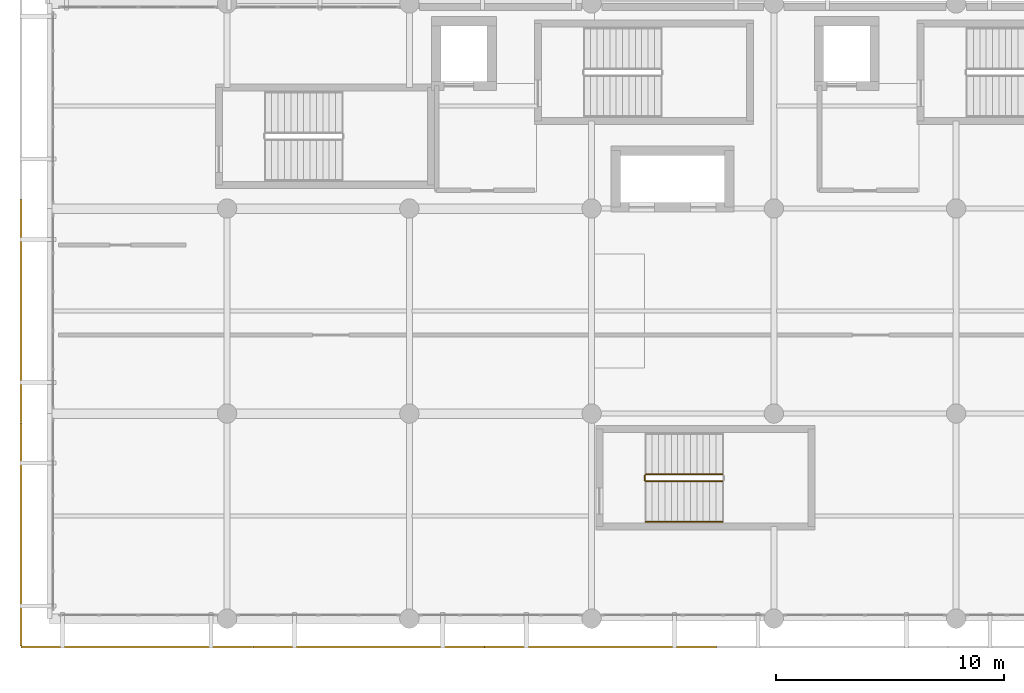
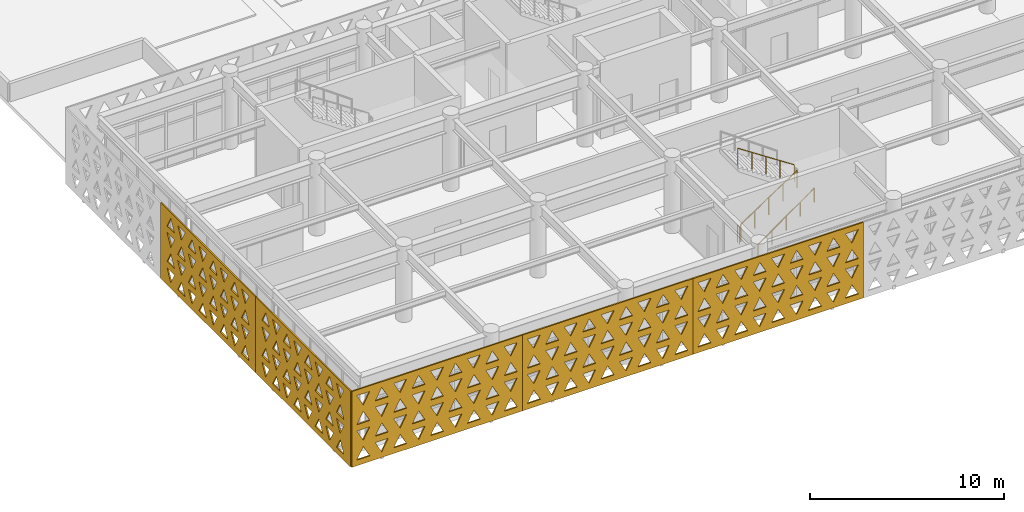
# One storey, part 43 of 54: 5 coverings, 4 railings.
"""IFC4 building model written with IfcOpenShell, lengths in metres."""

from ifc_helpers import new_model, si_unit, direction, frame, origin, origin_2d, place, context, subcontext, project, spatial, polyline, circle, outline, extrude, material, layer, layer_set, type_object, element, save


model = new_model("IFC4")

# Units and contexts
model_context = context("Model", 3, precision=1e-05, world=origin(), true_north=direction((0.0, 1.0)))
body_context = subcontext(model_context, "Body", "Model", "MODEL_VIEW")
ifc_project = project(units=[si_unit("LENGTHUNIT", "METRE"), si_unit("AREAUNIT", "SQUARE_METRE"), si_unit("VOLUMEUNIT", "CUBIC_METRE"), si_unit("PLANEANGLEUNIT", "RADIAN"), si_unit("MASSUNIT", "GRAM", prefix="KILO")], contexts=[model_context])

# Site, building, storey
site_placement = place(None, origin())
site = spatial("IfcSite", under=ifc_project, at=site_placement, CompositionType="ELEMENT")
building_placement = place(site_placement, origin())
building = spatial("IfcBuilding", under=site, at=building_placement, Name="Tlacozan Convention Centre", CompositionType="ELEMENT")
storey_placement = place(building_placement, frame((0.0, 0.0, 11.39990234375)))
storey = spatial("IfcBuildingStorey", under=building, at=storey_placement, Name="L02", CompositionType="ELEMENT", Elevation=11.39990234375)

# Railings
ifc_material_1 = material(Name="Architectural Painted Galvanised Steel Railing", Category="steel")
railing_type_1 = type_object("IfcRailingType", Name="Stair Wall Handrail 900", PredefinedType="HANDRAIL", material=ifc_material_1)
railing_1_placement = place(storey_placement, frame((26.3798828125, 4.25, 0.184814453125)))
element("IfcRailing", 1, at=railing_1_placement, inside=storey, type_object=railing_type_1, Name="L02 ST-16 stair handrail 1", PredefinedType="HANDRAIL", context=body_context, shape_type="SweptSolid", body=[
    extrude(circle(Radius=0.02392578125, at=origin_2d()), frame((0.0, 0.0, 0.8759765625), z_axis=(0.813753445783, 0.0, 0.581210228297), x_axis=(0.0, 1.0, 0.0)), (0.0, 0.0, 1.0), 4.129150390625),
    extrude(circle(Radius=0.02099609375, at=origin_2d()), origin(), (0.0, 0.0, 1.0), 0.851806640625),
    extrude(circle(Radius=0.02099609375, at=origin_2d()), frame((0.840087890625, 0.0, 0.60009765625)), (0.0, 0.0, 1.0), 0.851806640625),
    extrude(circle(Radius=0.02099609375, at=origin_2d()), frame((1.68017578125, 0.0, 1.199951171875)), (0.0, 0.0, 1.0), 0.851806640625),
    extrude(circle(Radius=0.02099609375, at=origin_2d()), frame((2.52001953125, 0.0, 1.7998046875)), (0.0, 0.0, 1.0), 0.851806640625),
    extrude(circle(Radius=0.02099609375, at=origin_2d()), frame((3.360107421875, 0.0, 2.39990234375)), (0.0, 0.0, 1.0), 0.851806640625),
])
railing_type_2 = type_object("IfcRailingType", Name="Stair Well Guardrail 1100", PredefinedType="GUARDRAIL", material=ifc_material_1)
railing_2_placement = place(storey_placement, frame((26.3798828125, 6.030029296875, 0.184814453125)))
element("IfcRailing", 2, at=railing_2_placement, inside=storey, type_object=railing_type_2, Name="L02 ST-16 stair guard 1", PredefinedType="GUARDRAIL", context=body_context, shape_type="SweptSolid", body=[
    extrude(circle(Radius=0.02392578125, at=origin_2d()), frame((0.0, 0.0, 1.076171875), z_axis=(0.834876476806, 0.0, 0.550437342915), x_axis=(0.0, 1.0, 0.0)), (0.0, 0.0, 1.0), 4.024658203125),
    extrude(circle(Radius=0.02099609375, at=origin_2d()), origin(), (0.0, 0.0, 1.0), 1.052001953125),
    extrude(circle(Radius=0.02099609375, at=origin_2d()), frame((0.840087890625, 0.0, 0.5537109375)), (0.0, 0.0, 1.0), 1.052001953125),
    extrude(circle(Radius=0.02099609375, at=origin_2d()), frame((1.68017578125, 0.0, 1.107666015625)), (0.0, 0.0, 1.0), 1.052001953125),
    extrude(circle(Radius=0.02099609375, at=origin_2d()), frame((2.52001953125, 0.0, 1.66162109375)), (0.0, 0.0, 1.0), 1.052001953125),
    extrude(circle(Radius=0.02099609375, at=origin_2d()), frame((3.360107421875, 0.0, 2.21533203125)), (0.0, 0.0, 1.0), 1.052001953125),
])
railing_3_placement = place(storey_placement, frame((29.739990234375, 6.330078125, 2.584716796875)))
element("IfcRailing", 3, at=railing_3_placement, inside=storey, type_object=railing_type_2, Name="L02 ST-16 stair guard 3", PredefinedType="GUARDRAIL", context=body_context, shape_type="SweptSolid", body=[
    extrude(circle(Radius=0.02392578125, at=origin_2d()), frame((0.0, 0.0, 1.076171875), z_axis=(-0.834876476806, 0.0, 0.550437342915), x_axis=(0.0, -1.0, 0.0)), (0.0, 0.0, 1.0), 4.024658203125),
    extrude(circle(Radius=0.02099609375, at=origin_2d()), origin(), (0.0, 0.0, 1.0), 1.052001953125),
    extrude(circle(Radius=0.02099609375, at=origin_2d()), frame((-0.840087890625, 0.0, 0.5537109375)), (0.0, 0.0, 1.0), 1.052001953125),
    extrude(circle(Radius=0.02099609375, at=origin_2d()), frame((-1.68017578125, 0.0, 1.107666015625)), (0.0, 0.0, 1.0), 1.052001953125),
    extrude(circle(Radius=0.02099609375, at=origin_2d()), frame((-2.52001953125, 0.0, 1.66162109375)), (0.0, 0.0, 1.0), 1.052001953125),
    extrude(circle(Radius=0.02099609375, at=origin_2d()), frame((-3.360107421875, 0.0, 2.21533203125)), (0.0, 0.0, 1.0), 1.052001953125),
])
railing_4_placement = place(storey_placement, frame((26.330078125, 6.080078125, 0.0)))
element("IfcRailing", 4, at=railing_4_placement, inside=storey, type_object=railing_type_2, Name="L02 ST-16 stair guard 4", PredefinedType="GUARDRAIL", context=body_context, shape_type="SweptSolid", body=[
    extrude(circle(Radius=0.02392578125, at=origin_2d()), frame((0.0, 0.0, 1.076171875), z_axis=(0.0, 1.0, 0.0), x_axis=(-1.0, 0.0, 0.0)), (0.0, 0.0, 1.0), 0.199951171875),
    extrude(circle(Radius=0.02099609375, at=origin_2d()), origin(), (0.0, 0.0, 1.0), 1.052001953125),
    extrude(circle(Radius=0.02099609375, at=origin_2d()), frame((0.0, 0.199951171875, 0.0)), (0.0, 0.0, 1.0), 1.052001953125),
])

# Coverings
ifc_material_2 = material(Name="Toluca Fired Terracotta Masonry Solar Screen", Category="masonry")
ifc_layer = layer(ifc_material_2, 0.080078125)
ifc_layer_set = layer_set([ifc_layer], Name="Toluca Fired Terracotta Masonry Solar Screen")
covering_type = type_object("IfcCoveringType", Name="Terracotta Triangle Solar Screen 80", PredefinedType="USERDEFINED", material=ifc_layer_set)
covering_1_placement = place(storey_placement, frame((-1.048095703125, -1.25, -0.02978515625), z_axis=(0.0, 0.0, 1.0), x_axis=(1.0, 0.0, 0.0)))
element("IfcCovering", 5, at=covering_1_placement, inside=storey, type_object=covering_type, Name="L02 Terracotta Triangle Screen 25", ObjectType="SCREEN", PredefinedType="USERDEFINED", context=body_context, shape_type="SweptSolid", body=[
    extrude(outline(polyline([(0.0, 0.0), (10.171142578125, 0.0), (10.171142578125, 4.77978515625), (0.0, 4.77978515625), (0.0, 0.0)]), holes=[polyline([(0.299560546875, 0.360107421875), (1.071533203125, 0.360107421875), (0.685546875, 1.074951171875), (0.299560546875, 0.360107421875)]), polyline([(1.399658203125, 1.074951171875), (2.171630859375, 1.074951171875), (1.78564453125, 0.360107421875), (1.399658203125, 1.074951171875)]), polyline([(2.49951171875, 0.360107421875), (3.271484375, 0.360107421875), (2.885498046875, 1.074951171875), (2.49951171875, 0.360107421875)]), polyline([(3.599609375, 1.074951171875), (4.37158203125, 1.074951171875), (3.985595703125, 0.360107421875), (3.599609375, 1.074951171875)]), polyline([(4.699462890625, 0.360107421875), (5.4716796875, 0.360107421875), (5.08544921875, 1.074951171875), (4.699462890625, 0.360107421875)]), polyline([(5.799560546875, 1.074951171875), (6.571533203125, 1.074951171875), (6.185546875, 0.360107421875), (5.799560546875, 1.074951171875)]), polyline([(6.899658203125, 0.360107421875), (7.671630859375, 0.360107421875), (7.28564453125, 1.074951171875), (6.899658203125, 0.360107421875)]), polyline([(7.99951171875, 1.074951171875), (8.771484375, 1.074951171875), (8.385498046875, 0.360107421875), (7.99951171875, 1.074951171875)]), polyline([(9.099609375, 0.360107421875), (9.87158203125, 0.360107421875), (9.485595703125, 1.074951171875), (9.099609375, 0.360107421875)]), polyline([(0.299560546875, 2.18994140625), (1.071533203125, 2.18994140625), (0.685546875, 1.47509765625), (0.299560546875, 2.18994140625)]), polyline([(1.399658203125, 1.47509765625), (2.171630859375, 1.47509765625), (1.78564453125, 2.18994140625), (1.399658203125, 1.47509765625)]), polyline([(2.49951171875, 2.18994140625), (3.271484375, 2.18994140625), (2.885498046875, 1.47509765625), (2.49951171875, 2.18994140625)]), polyline([(3.599609375, 1.47509765625), (4.37158203125, 1.47509765625), (3.985595703125, 2.18994140625), (3.599609375, 1.47509765625)]), polyline([(4.699462890625, 2.18994140625), (5.4716796875, 2.18994140625), (5.08544921875, 1.47509765625), (4.699462890625, 2.18994140625)]), polyline([(5.799560546875, 1.47509765625), (6.571533203125, 1.47509765625), (6.185546875, 2.18994140625), (5.799560546875, 1.47509765625)]), polyline([(6.899658203125, 2.18994140625), (7.671630859375, 2.18994140625), (7.28564453125, 1.47509765625), (6.899658203125, 2.18994140625)]), polyline([(7.99951171875, 1.47509765625), (8.771484375, 1.47509765625), (8.385498046875, 2.18994140625), (7.99951171875, 1.47509765625)]), polyline([(9.099609375, 2.18994140625), (9.87158203125, 2.18994140625), (9.485595703125, 1.47509765625), (9.099609375, 2.18994140625)]), polyline([(0.299560546875, 2.58984375), (1.071533203125, 2.58984375), (0.685546875, 3.3046875), (0.299560546875, 2.58984375)]), polyline([(1.399658203125, 3.3046875), (2.171630859375, 3.3046875), (1.78564453125, 2.58984375), (1.399658203125, 3.3046875)]), polyline([(2.49951171875, 2.58984375), (3.271484375, 2.58984375), (2.885498046875, 3.3046875), (2.49951171875, 2.58984375)]), polyline([(3.599609375, 3.3046875), (4.37158203125, 3.3046875), (3.985595703125, 2.58984375), (3.599609375, 3.3046875)]), polyline([(4.699462890625, 2.58984375), (5.4716796875, 2.58984375), (5.08544921875, 3.3046875), (4.699462890625, 2.58984375)]), polyline([(5.799560546875, 3.3046875), (6.571533203125, 3.3046875), (6.185546875, 2.58984375), (5.799560546875, 3.3046875)]), polyline([(6.899658203125, 2.58984375), (7.671630859375, 2.58984375), (7.28564453125, 3.3046875), (6.899658203125, 2.58984375)]), polyline([(7.99951171875, 3.3046875), (8.771484375, 3.3046875), (8.385498046875, 2.58984375), (7.99951171875, 3.3046875)]), polyline([(9.099609375, 2.58984375), (9.87158203125, 2.58984375), (9.485595703125, 3.3046875), (9.099609375, 2.58984375)]), polyline([(0.299560546875, 4.419677734375), (1.071533203125, 4.419677734375), (0.685546875, 3.704833984375), (0.299560546875, 4.419677734375)]), polyline([(1.399658203125, 3.704833984375), (2.171630859375, 3.704833984375), (1.78564453125, 4.419677734375), (1.399658203125, 3.704833984375)]), polyline([(2.49951171875, 4.419677734375), (3.271484375, 4.419677734375), (2.885498046875, 3.704833984375), (2.49951171875, 4.419677734375)]), polyline([(3.599609375, 3.704833984375), (4.37158203125, 3.704833984375), (3.985595703125, 4.419677734375), (3.599609375, 3.704833984375)]), polyline([(4.699462890625, 4.419677734375), (5.4716796875, 4.419677734375), (5.08544921875, 3.704833984375), (4.699462890625, 4.419677734375)]), polyline([(5.799560546875, 3.704833984375), (6.571533203125, 3.704833984375), (6.185546875, 4.419677734375), (5.799560546875, 3.704833984375)]), polyline([(6.899658203125, 4.419677734375), (7.671630859375, 4.419677734375), (7.28564453125, 3.704833984375), (6.899658203125, 4.419677734375)]), polyline([(7.99951171875, 3.704833984375), (8.771484375, 3.704833984375), (8.385498046875, 4.419677734375), (7.99951171875, 3.704833984375)]), polyline([(9.099609375, 4.419677734375), (9.87158203125, 4.419677734375), (9.485595703125, 3.704833984375), (9.099609375, 4.419677734375)])]), frame((0.0, 0.0400390625, 0.0), z_axis=(0.0, -1.0, 0.0), x_axis=(1.0, 0.0, 0.0)), (0.0, 0.0, 1.0), 0.080078125),
])
covering_2_placement = place(storey_placement, frame((9.126953125, -1.25, -0.02978515625), z_axis=(0.0, 0.0, 1.0), x_axis=(1.0, 0.0, 0.0)))
element("IfcCovering", 6, at=covering_2_placement, inside=storey, type_object=covering_type, Name="L02 Terracotta Triangle Screen 26", ObjectType="SCREEN", PredefinedType="USERDEFINED", context=body_context, shape_type="SweptSolid", body=[
    extrude(outline(polyline([(0.0, 0.0), (10.171142578125, 0.0), (10.171142578125, 4.77978515625), (0.0, 4.77978515625), (0.0, 0.0)]), holes=[polyline([(0.299560546875, 0.360107421875), (1.071533203125, 0.360107421875), (0.685546875, 1.074951171875), (0.299560546875, 0.360107421875)]), polyline([(1.399658203125, 1.074951171875), (2.171630859375, 1.074951171875), (1.78564453125, 0.360107421875), (1.399658203125, 1.074951171875)]), polyline([(2.49951171875, 0.360107421875), (3.271484375, 0.360107421875), (2.885498046875, 1.074951171875), (2.49951171875, 0.360107421875)]), polyline([(3.599609375, 1.074951171875), (4.37158203125, 1.074951171875), (3.985595703125, 0.360107421875), (3.599609375, 1.074951171875)]), polyline([(4.699462890625, 0.360107421875), (5.4716796875, 0.360107421875), (5.08544921875, 1.074951171875), (4.699462890625, 0.360107421875)]), polyline([(5.799560546875, 1.074951171875), (6.571533203125, 1.074951171875), (6.185546875, 0.360107421875), (5.799560546875, 1.074951171875)]), polyline([(6.899658203125, 0.360107421875), (7.671630859375, 0.360107421875), (7.28564453125, 1.074951171875), (6.899658203125, 0.360107421875)]), polyline([(7.99951171875, 1.074951171875), (8.771484375, 1.074951171875), (8.385498046875, 0.360107421875), (7.99951171875, 1.074951171875)]), polyline([(9.099609375, 0.360107421875), (9.87158203125, 0.360107421875), (9.485595703125, 1.074951171875), (9.099609375, 0.360107421875)]), polyline([(0.299560546875, 2.18994140625), (1.071533203125, 2.18994140625), (0.685546875, 1.47509765625), (0.299560546875, 2.18994140625)]), polyline([(1.399658203125, 1.47509765625), (2.171630859375, 1.47509765625), (1.78564453125, 2.18994140625), (1.399658203125, 1.47509765625)]), polyline([(2.49951171875, 2.18994140625), (3.271484375, 2.18994140625), (2.885498046875, 1.47509765625), (2.49951171875, 2.18994140625)]), polyline([(3.599609375, 1.47509765625), (4.37158203125, 1.47509765625), (3.985595703125, 2.18994140625), (3.599609375, 1.47509765625)]), polyline([(4.699462890625, 2.18994140625), (5.4716796875, 2.18994140625), (5.08544921875, 1.47509765625), (4.699462890625, 2.18994140625)]), polyline([(5.799560546875, 1.47509765625), (6.571533203125, 1.47509765625), (6.185546875, 2.18994140625), (5.799560546875, 1.47509765625)]), polyline([(6.899658203125, 2.18994140625), (7.671630859375, 2.18994140625), (7.28564453125, 1.47509765625), (6.899658203125, 2.18994140625)]), polyline([(7.99951171875, 1.47509765625), (8.771484375, 1.47509765625), (8.385498046875, 2.18994140625), (7.99951171875, 1.47509765625)]), polyline([(9.099609375, 2.18994140625), (9.87158203125, 2.18994140625), (9.485595703125, 1.47509765625), (9.099609375, 2.18994140625)]), polyline([(0.299560546875, 2.58984375), (1.071533203125, 2.58984375), (0.685546875, 3.3046875), (0.299560546875, 2.58984375)]), polyline([(1.399658203125, 3.3046875), (2.171630859375, 3.3046875), (1.78564453125, 2.58984375), (1.399658203125, 3.3046875)]), polyline([(2.49951171875, 2.58984375), (3.271484375, 2.58984375), (2.885498046875, 3.3046875), (2.49951171875, 2.58984375)]), polyline([(3.599609375, 3.3046875), (4.37158203125, 3.3046875), (3.985595703125, 2.58984375), (3.599609375, 3.3046875)]), polyline([(4.699462890625, 2.58984375), (5.4716796875, 2.58984375), (5.08544921875, 3.3046875), (4.699462890625, 2.58984375)]), polyline([(5.799560546875, 3.3046875), (6.571533203125, 3.3046875), (6.185546875, 2.58984375), (5.799560546875, 3.3046875)]), polyline([(6.899658203125, 2.58984375), (7.671630859375, 2.58984375), (7.28564453125, 3.3046875), (6.899658203125, 2.58984375)]), polyline([(7.99951171875, 3.3046875), (8.771484375, 3.3046875), (8.385498046875, 2.58984375), (7.99951171875, 3.3046875)]), polyline([(9.099609375, 2.58984375), (9.87158203125, 2.58984375), (9.485595703125, 3.3046875), (9.099609375, 2.58984375)]), polyline([(0.299560546875, 4.419677734375), (1.071533203125, 4.419677734375), (0.685546875, 3.704833984375), (0.299560546875, 4.419677734375)]), polyline([(1.399658203125, 3.704833984375), (2.171630859375, 3.704833984375), (1.78564453125, 4.419677734375), (1.399658203125, 3.704833984375)]), polyline([(2.49951171875, 4.419677734375), (3.271484375, 4.419677734375), (2.885498046875, 3.704833984375), (2.49951171875, 4.419677734375)]), polyline([(3.599609375, 3.704833984375), (4.37158203125, 3.704833984375), (3.985595703125, 4.419677734375), (3.599609375, 3.704833984375)]), polyline([(4.699462890625, 4.419677734375), (5.4716796875, 4.419677734375), (5.08544921875, 3.704833984375), (4.699462890625, 4.419677734375)]), polyline([(5.799560546875, 3.704833984375), (6.571533203125, 3.704833984375), (6.185546875, 4.419677734375), (5.799560546875, 3.704833984375)]), polyline([(6.899658203125, 4.419677734375), (7.671630859375, 4.419677734375), (7.28564453125, 3.704833984375), (6.899658203125, 4.419677734375)]), polyline([(7.99951171875, 3.704833984375), (8.771484375, 3.704833984375), (8.385498046875, 4.419677734375), (7.99951171875, 3.704833984375)]), polyline([(9.099609375, 4.419677734375), (9.87158203125, 4.419677734375), (9.485595703125, 3.704833984375), (9.099609375, 4.419677734375)])]), frame((0.0, 0.0400390625, 0.0), z_axis=(0.0, -1.0, 0.0), x_axis=(1.0, 0.0, 0.0)), (0.0, 0.0, 1.0), 0.080078125),
])
covering_3_placement = place(storey_placement, frame((19.302001953125, -1.25, -0.02978515625), z_axis=(0.0, 0.0, 1.0), x_axis=(1.0, 0.0, 0.0)))
element("IfcCovering", 7, at=covering_3_placement, inside=storey, type_object=covering_type, Name="L02 Terracotta Triangle Screen 27", ObjectType="SCREEN", PredefinedType="USERDEFINED", context=body_context, shape_type="SweptSolid", body=[
    extrude(outline(polyline([(0.0, 0.0), (10.1708984375, 0.0), (10.1708984375, 4.77978515625), (0.0, 4.77978515625), (0.0, 0.0)]), holes=[polyline([(0.29931640625, 0.360107421875), (1.071533203125, 0.360107421875), (0.685546875, 1.074951171875), (0.29931640625, 0.360107421875)]), polyline([(1.3994140625, 1.074951171875), (2.17138671875, 1.074951171875), (1.785400390625, 0.360107421875), (1.3994140625, 1.074951171875)]), polyline([(2.49951171875, 0.360107421875), (3.271484375, 0.360107421875), (2.885498046875, 1.074951171875), (2.49951171875, 0.360107421875)]), polyline([(3.599365234375, 1.074951171875), (4.37158203125, 1.074951171875), (3.9853515625, 0.360107421875), (3.599365234375, 1.074951171875)]), polyline([(4.699462890625, 0.360107421875), (5.471435546875, 0.360107421875), (5.08544921875, 1.074951171875), (4.699462890625, 0.360107421875)]), polyline([(5.79931640625, 1.074951171875), (6.571533203125, 1.074951171875), (6.185546875, 0.360107421875), (5.79931640625, 1.074951171875)]), polyline([(6.8994140625, 0.360107421875), (7.67138671875, 0.360107421875), (7.285400390625, 1.074951171875), (6.8994140625, 0.360107421875)]), polyline([(7.99951171875, 1.074951171875), (8.771484375, 1.074951171875), (8.385498046875, 0.360107421875), (7.99951171875, 1.074951171875)]), polyline([(9.099365234375, 0.360107421875), (9.87158203125, 0.360107421875), (9.4853515625, 1.074951171875), (9.099365234375, 0.360107421875)]), polyline([(0.29931640625, 2.18994140625), (1.071533203125, 2.18994140625), (0.685546875, 1.47509765625), (0.29931640625, 2.18994140625)]), polyline([(1.3994140625, 1.47509765625), (2.17138671875, 1.47509765625), (1.785400390625, 2.18994140625), (1.3994140625, 1.47509765625)]), polyline([(2.49951171875, 2.18994140625), (3.271484375, 2.18994140625), (2.885498046875, 1.47509765625), (2.49951171875, 2.18994140625)]), polyline([(3.599365234375, 1.47509765625), (4.37158203125, 1.47509765625), (3.9853515625, 2.18994140625), (3.599365234375, 1.47509765625)]), polyline([(4.699462890625, 2.18994140625), (5.471435546875, 2.18994140625), (5.08544921875, 1.47509765625), (4.699462890625, 2.18994140625)]), polyline([(5.79931640625, 1.47509765625), (6.571533203125, 1.47509765625), (6.185546875, 2.18994140625), (5.79931640625, 1.47509765625)]), polyline([(6.8994140625, 2.18994140625), (7.67138671875, 2.18994140625), (7.285400390625, 1.47509765625), (6.8994140625, 2.18994140625)]), polyline([(7.99951171875, 1.47509765625), (8.771484375, 1.47509765625), (8.385498046875, 2.18994140625), (7.99951171875, 1.47509765625)]), polyline([(9.099365234375, 2.18994140625), (9.87158203125, 2.18994140625), (9.4853515625, 1.47509765625), (9.099365234375, 2.18994140625)]), polyline([(0.29931640625, 2.58984375), (1.071533203125, 2.58984375), (0.685546875, 3.3046875), (0.29931640625, 2.58984375)]), polyline([(1.3994140625, 3.3046875), (2.17138671875, 3.3046875), (1.785400390625, 2.58984375), (1.3994140625, 3.3046875)]), polyline([(2.49951171875, 2.58984375), (3.271484375, 2.58984375), (2.885498046875, 3.3046875), (2.49951171875, 2.58984375)]), polyline([(3.599365234375, 3.3046875), (4.37158203125, 3.3046875), (3.9853515625, 2.58984375), (3.599365234375, 3.3046875)]), polyline([(4.699462890625, 2.58984375), (5.471435546875, 2.58984375), (5.08544921875, 3.3046875), (4.699462890625, 2.58984375)]), polyline([(5.79931640625, 3.3046875), (6.571533203125, 3.3046875), (6.185546875, 2.58984375), (5.79931640625, 3.3046875)]), polyline([(6.8994140625, 2.58984375), (7.67138671875, 2.58984375), (7.285400390625, 3.3046875), (6.8994140625, 2.58984375)]), polyline([(7.99951171875, 3.3046875), (8.771484375, 3.3046875), (8.385498046875, 2.58984375), (7.99951171875, 3.3046875)]), polyline([(9.099365234375, 2.58984375), (9.87158203125, 2.58984375), (9.4853515625, 3.3046875), (9.099365234375, 2.58984375)]), polyline([(0.29931640625, 4.419677734375), (1.071533203125, 4.419677734375), (0.685546875, 3.704833984375), (0.29931640625, 4.419677734375)]), polyline([(1.3994140625, 3.704833984375), (2.17138671875, 3.704833984375), (1.785400390625, 4.419677734375), (1.3994140625, 3.704833984375)]), polyline([(2.49951171875, 4.419677734375), (3.271484375, 4.419677734375), (2.885498046875, 3.704833984375), (2.49951171875, 4.419677734375)]), polyline([(3.599365234375, 3.704833984375), (4.37158203125, 3.704833984375), (3.9853515625, 4.419677734375), (3.599365234375, 3.704833984375)]), polyline([(4.699462890625, 4.419677734375), (5.471435546875, 4.419677734375), (5.08544921875, 3.704833984375), (4.699462890625, 4.419677734375)]), polyline([(5.79931640625, 3.704833984375), (6.571533203125, 3.704833984375), (6.185546875, 4.419677734375), (5.79931640625, 3.704833984375)]), polyline([(6.8994140625, 4.419677734375), (7.67138671875, 4.419677734375), (7.285400390625, 3.704833984375), (6.8994140625, 4.419677734375)]), polyline([(7.99951171875, 3.704833984375), (8.771484375, 3.704833984375), (8.385498046875, 4.419677734375), (7.99951171875, 3.704833984375)]), polyline([(9.099365234375, 4.419677734375), (9.87158203125, 4.419677734375), (9.4853515625, 3.704833984375), (9.099365234375, 4.419677734375)])]), frame((0.0, 0.0400390625, 0.0), z_axis=(0.0, -1.0, 0.0), x_axis=(1.0, 0.0, 0.0)), (0.0, 0.0, 1.0), 0.080078125),
])
covering_4_placement = place(storey_placement, frame((-1.050048828125, -1.205078125, -0.02978515625), z_axis=(0.0, 0.0, 1.0), x_axis=(0.0, 1.0, 0.0)))
element("IfcCovering", 8, at=covering_4_placement, inside=storey, type_object=covering_type, Name="L02 Terracotta Triangle Screen 37", ObjectType="SCREEN", PredefinedType="USERDEFINED", context=body_context, shape_type="SweptSolid", body=[
    extrude(outline(polyline([(0.0, 0.0), (9.80078125, 0.0), (9.80078125, 4.77978515625), (0.0, 4.77978515625), (0.0, 0.0)]), holes=[polyline([(0.664306640625, 0.360107421875), (1.4365234375, 0.360107421875), (1.05029296875, 1.074951171875), (0.664306640625, 0.360107421875)]), polyline([(1.764404296875, 1.074951171875), (2.536376953125, 1.074951171875), (2.150390625, 0.360107421875), (1.764404296875, 1.074951171875)]), polyline([(2.8642578125, 0.360107421875), (3.636474609375, 0.360107421875), (3.25048828125, 1.074951171875), (2.8642578125, 0.360107421875)]), polyline([(3.96435546875, 1.074951171875), (4.736328125, 1.074951171875), (4.350341796875, 0.360107421875), (3.96435546875, 1.074951171875)]), polyline([(5.064453125, 0.360107421875), (5.83642578125, 0.360107421875), (5.450439453125, 1.074951171875), (5.064453125, 0.360107421875)]), polyline([(6.164306640625, 1.074951171875), (6.9365234375, 1.074951171875), (6.55029296875, 0.360107421875), (6.164306640625, 1.074951171875)]), polyline([(7.264404296875, 0.360107421875), (8.036376953125, 0.360107421875), (7.650390625, 1.074951171875), (7.264404296875, 0.360107421875)]), polyline([(8.3642578125, 1.074951171875), (9.136474609375, 1.074951171875), (8.75048828125, 0.360107421875), (8.3642578125, 1.074951171875)]), polyline([(0.664306640625, 2.18994140625), (1.4365234375, 2.18994140625), (1.05029296875, 1.47509765625), (0.664306640625, 2.18994140625)]), polyline([(1.764404296875, 1.47509765625), (2.536376953125, 1.47509765625), (2.150390625, 2.18994140625), (1.764404296875, 1.47509765625)]), polyline([(2.8642578125, 2.18994140625), (3.636474609375, 2.18994140625), (3.25048828125, 1.47509765625), (2.8642578125, 2.18994140625)]), polyline([(3.96435546875, 1.47509765625), (4.736328125, 1.47509765625), (4.350341796875, 2.18994140625), (3.96435546875, 1.47509765625)]), polyline([(5.064453125, 2.18994140625), (5.83642578125, 2.18994140625), (5.450439453125, 1.47509765625), (5.064453125, 2.18994140625)]), polyline([(6.164306640625, 1.47509765625), (6.9365234375, 1.47509765625), (6.55029296875, 2.18994140625), (6.164306640625, 1.47509765625)]), polyline([(7.264404296875, 2.18994140625), (8.036376953125, 2.18994140625), (7.650390625, 1.47509765625), (7.264404296875, 2.18994140625)]), polyline([(8.3642578125, 1.47509765625), (9.136474609375, 1.47509765625), (8.75048828125, 2.18994140625), (8.3642578125, 1.47509765625)]), polyline([(0.664306640625, 2.58984375), (1.4365234375, 2.58984375), (1.05029296875, 3.3046875), (0.664306640625, 2.58984375)]), polyline([(1.764404296875, 3.3046875), (2.536376953125, 3.3046875), (2.150390625, 2.58984375), (1.764404296875, 3.3046875)]), polyline([(2.8642578125, 2.58984375), (3.636474609375, 2.58984375), (3.25048828125, 3.3046875), (2.8642578125, 2.58984375)]), polyline([(3.96435546875, 3.3046875), (4.736328125, 3.3046875), (4.350341796875, 2.58984375), (3.96435546875, 3.3046875)]), polyline([(5.064453125, 2.58984375), (5.83642578125, 2.58984375), (5.450439453125, 3.3046875), (5.064453125, 2.58984375)]), polyline([(6.164306640625, 3.3046875), (6.9365234375, 3.3046875), (6.55029296875, 2.58984375), (6.164306640625, 3.3046875)]), polyline([(7.264404296875, 2.58984375), (8.036376953125, 2.58984375), (7.650390625, 3.3046875), (7.264404296875, 2.58984375)]), polyline([(8.3642578125, 3.3046875), (9.136474609375, 3.3046875), (8.75048828125, 2.58984375), (8.3642578125, 3.3046875)]), polyline([(0.664306640625, 4.419677734375), (1.4365234375, 4.419677734375), (1.05029296875, 3.704833984375), (0.664306640625, 4.419677734375)]), polyline([(1.764404296875, 3.704833984375), (2.536376953125, 3.704833984375), (2.150390625, 4.419677734375), (1.764404296875, 3.704833984375)]), polyline([(2.8642578125, 4.419677734375), (3.636474609375, 4.419677734375), (3.25048828125, 3.704833984375), (2.8642578125, 4.419677734375)]), polyline([(3.96435546875, 3.704833984375), (4.736328125, 3.704833984375), (4.350341796875, 4.419677734375), (3.96435546875, 3.704833984375)]), polyline([(5.064453125, 4.419677734375), (5.83642578125, 4.419677734375), (5.450439453125, 3.704833984375), (5.064453125, 4.419677734375)]), polyline([(6.164306640625, 3.704833984375), (6.9365234375, 3.704833984375), (6.55029296875, 4.419677734375), (6.164306640625, 3.704833984375)]), polyline([(7.264404296875, 4.419677734375), (8.036376953125, 4.419677734375), (7.650390625, 3.704833984375), (7.264404296875, 4.419677734375)]), polyline([(8.3642578125, 3.704833984375), (9.136474609375, 3.704833984375), (8.75048828125, 4.419677734375), (8.3642578125, 3.704833984375)])]), frame((0.0, 0.0400390625, 0.0), z_axis=(0.0, -1.0, 0.0), x_axis=(1.0, 0.0, 0.0)), (0.0, 0.0, 1.0), 0.080078125),
])
covering_5_placement = place(storey_placement, frame((-1.050048828125, 8.599609375, -0.02978515625), z_axis=(0.0, 0.0, 1.0), x_axis=(0.0, 1.0, 0.0)))
element("IfcCovering", 9, at=covering_5_placement, inside=storey, type_object=covering_type, Name="L02 Terracotta Triangle Screen 38", ObjectType="SCREEN", PredefinedType="USERDEFINED", context=body_context, shape_type="SweptSolid", body=[
    extrude(outline(polyline([(0.0, 0.0), (9.80078125, 0.0), (9.80078125, 4.77978515625), (0.0, 4.77978515625), (0.0, 0.0)]), holes=[polyline([(0.664306640625, 0.360107421875), (1.4365234375, 0.360107421875), (1.05029296875, 1.074951171875), (0.664306640625, 0.360107421875)]), polyline([(1.764404296875, 1.074951171875), (2.536376953125, 1.074951171875), (2.150390625, 0.360107421875), (1.764404296875, 1.074951171875)]), polyline([(2.8642578125, 0.360107421875), (3.636474609375, 0.360107421875), (3.25048828125, 1.074951171875), (2.8642578125, 0.360107421875)]), polyline([(3.96435546875, 1.074951171875), (4.736328125, 1.074951171875), (4.350341796875, 0.360107421875), (3.96435546875, 1.074951171875)]), polyline([(5.064453125, 0.360107421875), (5.83642578125, 0.360107421875), (5.450439453125, 1.074951171875), (5.064453125, 0.360107421875)]), polyline([(6.164306640625, 1.074951171875), (6.9365234375, 1.074951171875), (6.55029296875, 0.360107421875), (6.164306640625, 1.074951171875)]), polyline([(7.264404296875, 0.360107421875), (8.036376953125, 0.360107421875), (7.650390625, 1.074951171875), (7.264404296875, 0.360107421875)]), polyline([(8.3642578125, 1.074951171875), (9.136474609375, 1.074951171875), (8.75048828125, 0.360107421875), (8.3642578125, 1.074951171875)]), polyline([(0.664306640625, 2.18994140625), (1.4365234375, 2.18994140625), (1.05029296875, 1.47509765625), (0.664306640625, 2.18994140625)]), polyline([(1.764404296875, 1.47509765625), (2.536376953125, 1.47509765625), (2.150390625, 2.18994140625), (1.764404296875, 1.47509765625)]), polyline([(2.8642578125, 2.18994140625), (3.636474609375, 2.18994140625), (3.25048828125, 1.47509765625), (2.8642578125, 2.18994140625)]), polyline([(3.96435546875, 1.47509765625), (4.736328125, 1.47509765625), (4.350341796875, 2.18994140625), (3.96435546875, 1.47509765625)]), polyline([(5.064453125, 2.18994140625), (5.83642578125, 2.18994140625), (5.450439453125, 1.47509765625), (5.064453125, 2.18994140625)]), polyline([(6.164306640625, 1.47509765625), (6.9365234375, 1.47509765625), (6.55029296875, 2.18994140625), (6.164306640625, 1.47509765625)]), polyline([(7.264404296875, 2.18994140625), (8.036376953125, 2.18994140625), (7.650390625, 1.47509765625), (7.264404296875, 2.18994140625)]), polyline([(8.3642578125, 1.47509765625), (9.136474609375, 1.47509765625), (8.75048828125, 2.18994140625), (8.3642578125, 1.47509765625)]), polyline([(0.664306640625, 2.58984375), (1.4365234375, 2.58984375), (1.05029296875, 3.3046875), (0.664306640625, 2.58984375)]), polyline([(1.764404296875, 3.3046875), (2.536376953125, 3.3046875), (2.150390625, 2.58984375), (1.764404296875, 3.3046875)]), polyline([(2.8642578125, 2.58984375), (3.636474609375, 2.58984375), (3.25048828125, 3.3046875), (2.8642578125, 2.58984375)]), polyline([(3.96435546875, 3.3046875), (4.736328125, 3.3046875), (4.350341796875, 2.58984375), (3.96435546875, 3.3046875)]), polyline([(5.064453125, 2.58984375), (5.83642578125, 2.58984375), (5.450439453125, 3.3046875), (5.064453125, 2.58984375)]), polyline([(6.164306640625, 3.3046875), (6.9365234375, 3.3046875), (6.55029296875, 2.58984375), (6.164306640625, 3.3046875)]), polyline([(7.264404296875, 2.58984375), (8.036376953125, 2.58984375), (7.650390625, 3.3046875), (7.264404296875, 2.58984375)]), polyline([(8.3642578125, 3.3046875), (9.136474609375, 3.3046875), (8.75048828125, 2.58984375), (8.3642578125, 3.3046875)]), polyline([(0.664306640625, 4.419677734375), (1.4365234375, 4.419677734375), (1.05029296875, 3.704833984375), (0.664306640625, 4.419677734375)]), polyline([(1.764404296875, 3.704833984375), (2.536376953125, 3.704833984375), (2.150390625, 4.419677734375), (1.764404296875, 3.704833984375)]), polyline([(2.8642578125, 4.419677734375), (3.636474609375, 4.419677734375), (3.25048828125, 3.704833984375), (2.8642578125, 4.419677734375)]), polyline([(3.96435546875, 3.704833984375), (4.736328125, 3.704833984375), (4.350341796875, 4.419677734375), (3.96435546875, 3.704833984375)]), polyline([(5.064453125, 4.419677734375), (5.83642578125, 4.419677734375), (5.450439453125, 3.704833984375), (5.064453125, 4.419677734375)]), polyline([(6.164306640625, 3.704833984375), (6.9365234375, 3.704833984375), (6.55029296875, 4.419677734375), (6.164306640625, 3.704833984375)]), polyline([(7.264404296875, 4.419677734375), (8.036376953125, 4.419677734375), (7.650390625, 3.704833984375), (7.264404296875, 4.419677734375)]), polyline([(8.3642578125, 3.704833984375), (9.136474609375, 3.704833984375), (8.75048828125, 4.419677734375), (8.3642578125, 3.704833984375)])]), frame((0.0, 0.0400390625, 0.0), z_axis=(0.0, -1.0, 0.0), x_axis=(1.0, 0.0, 0.0)), (0.0, 0.0, 1.0), 0.080078125),
])

save(model, "model.ifc")
